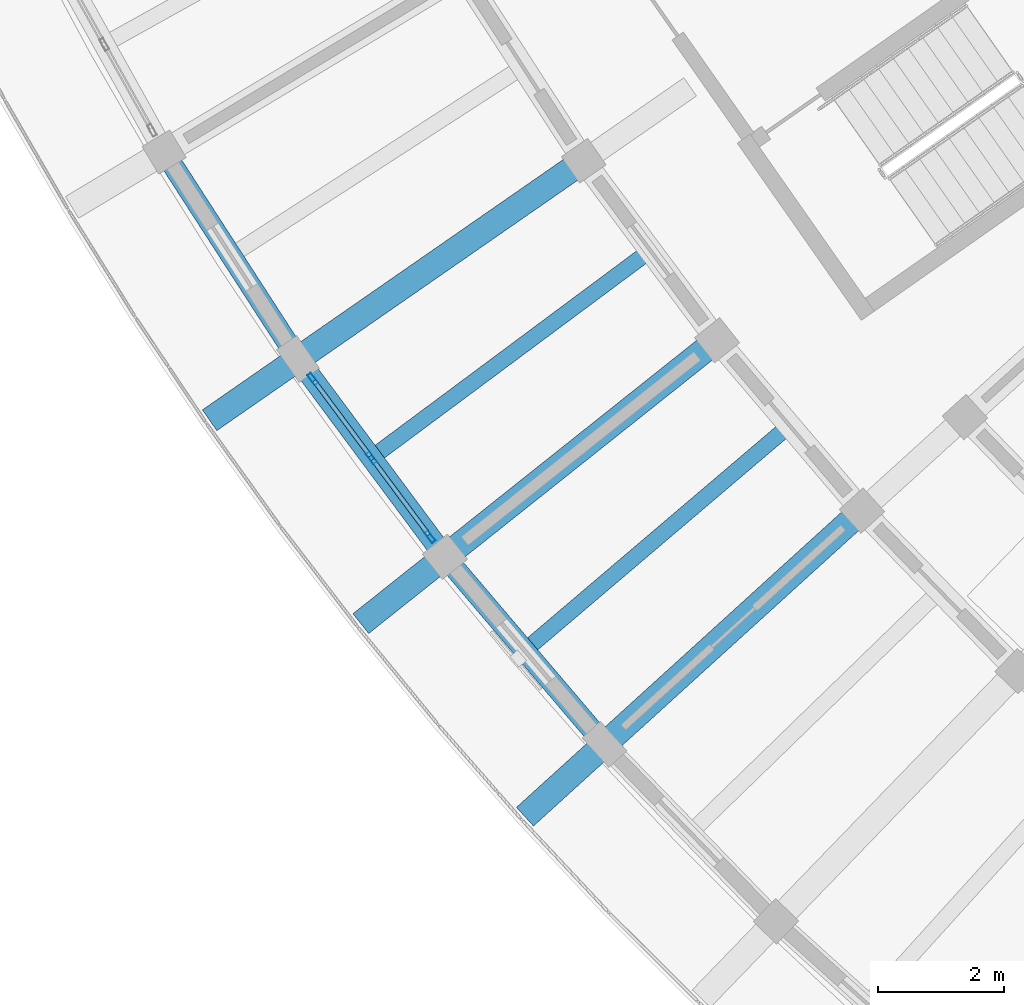
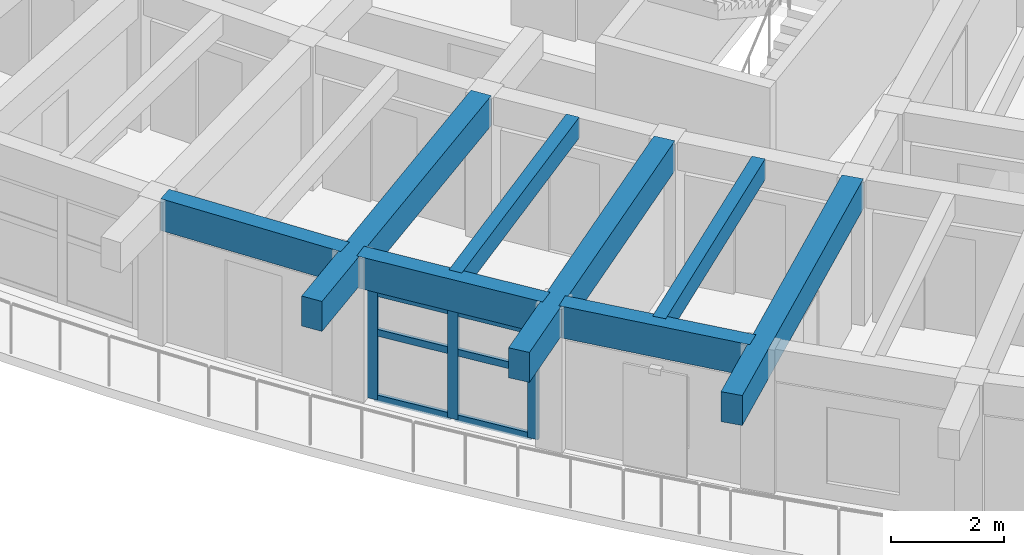
# One storey, part 6 of 62: 9 members, 8 beams, 1 element without a shape of its own.
"""IFC4 building model written with IfcOpenShell, lengths in metres."""

from ifc_helpers import new_model, si_unit, direction, frame, origin, origin_2d, place, context, subcontext, project, spatial, rectangle, hollow_rectangle, extrude, material, material_profile, profile_set, type_object, element, aggregate, save


model = new_model("IFC4")

# Units and contexts
model_context = context("Model", 3, precision=1e-05, world=origin(), true_north=direction((0.0, 1.0)))
body_context = subcontext(model_context, "Body", "Model", "MODEL_VIEW")
ifc_project = project(units=[si_unit("LENGTHUNIT", "METRE"), si_unit("AREAUNIT", "SQUARE_METRE"), si_unit("VOLUMEUNIT", "CUBIC_METRE"), si_unit("PLANEANGLEUNIT", "RADIAN"), si_unit("MASSUNIT", "GRAM", prefix="KILO")], contexts=[model_context])

# Site, building, storey
site_placement = place(None, origin())
site = spatial("IfcSite", under=ifc_project, at=site_placement, CompositionType="ELEMENT")
building_placement = place(site_placement, origin())
building = spatial("IfcBuilding", under=site, at=building_placement, Name="Tanwirah Colonnade Gardens", CompositionType="ELEMENT")
storey_placement = place(building_placement, frame((0.0, 0.0, 32.360107421875)))
storey = spatial("IfcBuildingStorey", under=building, at=storey_placement, Name="L09", CompositionType="ELEMENT", Elevation=32.360107421875)

# Beams
ifc_material_1 = material(Name="Precast concrete C45/55", Category="concrete")
ifc_material_profile_1 = material_profile(ifc_material_1, rectangle(XDim=0.39990234375, YDim=0.64990234375, at=origin_2d()), Name="PC-BM 400x650")
ifc_profile_set_1 = profile_set([ifc_material_profile_1], Name="Precast concrete C45/55")
beam_type_1 = type_object("IfcBeamType", Name="BM-PC400", PredefinedType="BEAM", material=ifc_profile_set_1)
beam_1_placement = place(storey_placement, frame((20.466796875, 33.606201171875, 2.789794921875), z_axis=(-0.821647028495, -0.569996632066, 0.0), x_axis=(0.569996632066, -0.821647028495, 0.0)))
element("IfcBeam", 1, at=beam_1_placement, inside=storey, type_object=beam_type_1, Name="Block C L09 Outer Radial Precast Girder 5", PredefinedType="BEAM", context=body_context, shape_type="SweptSolid", body=[
    extrude(rectangle(XDim=0.39990234375, YDim=0.64990234375, at=origin_2d()), origin(), (0.0, 0.0, 1.0), 7.050048828125),
])
for number, where, z_axis, x_axis, name in (
    (2, (22.58251953125, 30.759765625, 2.789794921875), (-0.782609106384, -0.622513442911, 0.0), (0.622513442911, -0.782609106384, 0.0), "Block C L09 Outer Radial Precast Girder 6"),
    (3, (24.880126953125, 28.0576171875, 2.789794921875), (-0.740229899169, -0.672353847596, 0.0), (0.672353847596, -0.740229899169, 0.0), "Block C L09 Outer Radial Precast Girder 7"),
):
    element("IfcBeam", number, at=place(storey_placement, frame(where, z_axis=z_axis, x_axis=x_axis)), inside=storey, type_object=beam_type_1, Name=name, PredefinedType="BEAM", context=body_context, shape_type="SweptSolid", body=[
        extrude(rectangle(XDim=0.39990234375, YDim=0.64990234375, at=origin_2d()), origin(), (0.0, 0.0, 1.0), 7.0498046875),
    ])

# Curtain wall, members
ifc_material_2 = material(Name="Bronze-anodised aluminium and solar-control low-E glass", Category="aluminium")
curtain_wall_type = type_object("IfcCurtainWallType", Name="CW-LOB", PredefinedType="NOTDEFINED", material=ifc_material_2)
curtain_wall_placement = place(storey_placement, origin())
curtain_wall = element("IfcCurtainWall", 4, at=curtain_wall_placement, inside=storey, type_object=curtain_wall_type, Name="Curtain Wall CW-C-L09-OUT-05", PredefinedType="NOTDEFINED")
ifc_material_3 = material(Name="Bronze-anodised aluminium", Category="aluminium")
ifc_material_profile_2 = material_profile(ifc_material_3, hollow_rectangle(XDim=0.070068359375, YDim=0.199951171875, WallThickness=0.00390625, at=origin_2d()), Name="CW-MUL 70x200x4")
ifc_profile_set_2 = profile_set([ifc_material_profile_2], Name="Bronze-anodised aluminium")
member_type_1 = type_object("IfcMemberType", Name="CWM-70x200", PredefinedType="MULLION", material=ifc_profile_set_2)
member_1_placement = place(storey_placement, frame((16.306640625, 30.23974609375, 0.0), z_axis=(0.0, 0.0, 1.0), x_axis=(0.802556746833, 0.596575785725, 0.0)))
member_1 = element("IfcMember", 5, at=member_1_placement, type_object=member_type_1, Name="CW-LOB mullion 1", PredefinedType="MULLION", context=body_context, shape_type="SweptSolid", body=[
    extrude(hollow_rectangle(XDim=0.070068359375, YDim=0.199951171875, WallThickness=0.00390625, at=origin_2d()), origin(), (0.0, 0.0, 1.0), 2.35498046875),
])
member_2_placement = place(storey_placement, frame((17.2333984375, 28.992919921875, 0.0), z_axis=(0.0, 0.0, 1.0), x_axis=(0.802556746833, 0.596575785725, 0.0)))
member_2 = element("IfcMember", 6, at=member_2_placement, type_object=member_type_1, Name="CW-LOB mullion 2", PredefinedType="MULLION", context=body_context, shape_type="SweptSolid", body=[
    extrude(hollow_rectangle(XDim=0.070068359375, YDim=0.199951171875, WallThickness=0.00390625, at=origin_2d()), origin(), (0.0, 0.0, 1.0), 2.35498046875),
])
member_3_placement = place(storey_placement, frame((18.16015625, 27.746337890625, 0.0), z_axis=(0.0, 0.0, 1.0), x_axis=(0.802556746833, 0.596575785725, 0.0)))
member_3 = element("IfcMember", 7, at=member_3_placement, type_object=member_type_1, Name="CW-LOB mullion 3", PredefinedType="MULLION", context=body_context, shape_type="SweptSolid", body=[
    extrude(hollow_rectangle(XDim=0.070068359375, YDim=0.199951171875, WallThickness=0.00390625, at=origin_2d()), origin(), (0.0, 0.0, 1.0), 2.35498046875),
])
ifc_material_profile_3 = material_profile(ifc_material_3, hollow_rectangle(XDim=0.070068359375, YDim=0.14990234375, WallThickness=0.00390625, at=origin_2d()), Name="CW-TRN 70x150x4")
ifc_profile_set_3 = profile_set([ifc_material_profile_3], Name="Bronze-anodised aluminium")
member_type_2 = type_object("IfcMemberType", Name="CWT-70x150", PredefinedType="USERDEFINED", material=ifc_profile_set_3)
member_4_placement = place(storey_placement, frame((16.327392578125, 30.211669921875, 0.034912109375), z_axis=(0.59654515781, -0.802579513004, 0.0), x_axis=(0.802579513004, 0.59654515781, 0.0)))
member_4 = element("IfcMember", 8, at=member_4_placement, type_object=member_type_2, Name="CW-LOB transom 1.1", ObjectType="TRANSOM", PredefinedType="USERDEFINED", context=body_context, shape_type="SweptSolid", body=[
    extrude(hollow_rectangle(XDim=0.070068359375, YDim=0.14990234375, WallThickness=0.00390625, at=origin_2d()), origin(), (0.0, 0.0, 1.0), 1.483642578125),
])
member_5_placement = place(storey_placement, frame((16.327392578125, 30.211669921875, 1.4599609375), z_axis=(0.59654515781, -0.802579513004, 0.0), x_axis=(0.802579513004, 0.59654515781, 0.0)))
member_5 = element("IfcMember", 9, at=member_5_placement, type_object=member_type_2, Name="CW-LOB transom 1.2", ObjectType="TRANSOM", PredefinedType="USERDEFINED", context=body_context, shape_type="SweptSolid", body=[
    extrude(hollow_rectangle(XDim=0.070068359375, YDim=0.14990234375, WallThickness=0.00390625, at=origin_2d()), origin(), (0.0, 0.0, 1.0), 1.483642578125),
])
member_6_placement = place(storey_placement, frame((16.327392578125, 30.211669921875, 2.31982421875), z_axis=(0.59654515781, -0.802579513004, 0.0), x_axis=(0.802579513004, 0.59654515781, 0.0)))
member_6 = element("IfcMember", 10, at=member_6_placement, type_object=member_type_2, Name="CW-LOB transom 1.3", ObjectType="TRANSOM", PredefinedType="USERDEFINED", context=body_context, shape_type="SweptSolid", body=[
    extrude(hollow_rectangle(XDim=0.070068359375, YDim=0.14990234375, WallThickness=0.00390625, at=origin_2d()), origin(), (0.0, 0.0, 1.0), 1.483642578125),
])
member_7_placement = place(storey_placement, frame((17.254150390625, 28.96484375, 0.034912109375), z_axis=(0.596623954545, -0.802520938582, 0.0), x_axis=(0.802520938582, 0.596623954545, 0.0)))
member_7 = element("IfcMember", 11, at=member_7_placement, type_object=member_type_2, Name="CW-LOB transom 2.1", ObjectType="TRANSOM", PredefinedType="USERDEFINED", context=body_context, shape_type="SweptSolid", body=[
    extrude(hollow_rectangle(XDim=0.070068359375, YDim=0.14990234375, WallThickness=0.00390625, at=origin_2d()), origin(), (0.0, 0.0, 1.0), 1.4833984375),
])
member_8_placement = place(storey_placement, frame((17.254150390625, 28.96484375, 1.4599609375), z_axis=(0.596623954545, -0.802520938582, 0.0), x_axis=(0.802520938582, 0.596623954545, 0.0)))
member_8 = element("IfcMember", 12, at=member_8_placement, type_object=member_type_2, Name="CW-LOB transom 2.2", ObjectType="TRANSOM", PredefinedType="USERDEFINED", context=body_context, shape_type="SweptSolid", body=[
    extrude(hollow_rectangle(XDim=0.070068359375, YDim=0.14990234375, WallThickness=0.00390625, at=origin_2d()), origin(), (0.0, 0.0, 1.0), 1.4833984375),
])
member_9_placement = place(storey_placement, frame((17.254150390625, 28.96484375, 2.31982421875), z_axis=(0.596623954545, -0.802520938582, 0.0), x_axis=(0.802520938582, 0.596623954545, 0.0)))
member_9 = element("IfcMember", 13, at=member_9_placement, type_object=member_type_2, Name="CW-LOB transom 2.3", ObjectType="TRANSOM", PredefinedType="USERDEFINED", context=body_context, shape_type="SweptSolid", body=[
    extrude(hollow_rectangle(XDim=0.070068359375, YDim=0.14990234375, WallThickness=0.00390625, at=origin_2d()), origin(), (0.0, 0.0, 1.0), 1.4833984375),
])
aggregate(curtain_wall, [member_1, member_2, member_3, member_4, member_5, member_6, member_7, member_8, member_9])

# Beams
ifc_material_4 = material(Name="Precast concrete C40/50", Category="concrete")
ifc_material_profile_4 = material_profile(ifc_material_4, rectangle(XDim=0.25, YDim=0.449951171875, at=origin_2d()), Name="PC-JST 250x450")
ifc_profile_set_4 = profile_set([ifc_material_profile_4], Name="Precast concrete C40/50")
beam_type_2 = type_object("IfcBeamType", Name="JST-PC250", PredefinedType="JOIST", material=ifc_profile_set_4)
for number, where, z_axis, x_axis, name in (
    (14, (21.525390625, 32.18359375, 2.889892578125), (-0.802560347737, -0.596570941499, 0.0), (0.596570941499, -0.802560347737, 0.0), "Block C L09 Precast Floor Joist 5"),
    (15, (23.732177734375, 29.409423828125, 2.889892578125), (-0.761803021124, -0.647808734895, 0.0), (0.647808734895, -0.761803021124, 0.0), "Block C L09 Precast Floor Joist 6"),
):
    element("IfcBeam", number, at=place(storey_placement, frame(where, z_axis=z_axis, x_axis=x_axis)), inside=storey, type_object=beam_type_2, Name=name, PredefinedType="JOIST", context=body_context, shape_type="SweptSolid", body=[
        extrude(rectangle(XDim=0.25, YDim=0.449951171875, at=origin_2d()), origin(), (0.0, 0.0, 1.0), 5.260009765625),
    ])
ifc_material_profile_5 = material_profile(ifc_material_4, rectangle(XDim=0.330078125, YDim=0.68994140625, at=origin_2d()), Name="PC-SP 330x690")
ifc_profile_set_5 = profile_set([ifc_material_profile_5], Name="Precast concrete C40/50")
beam_type_3 = type_object("IfcBeamType", Name="SP-PC280", PredefinedType="SPANDREL", material=ifc_profile_set_5)
for number, where, z_axis, x_axis, name in (
    (16, (14.037109375, 33.70361328125, 2.769775390625), (0.542786838894, -0.839870494495, 0.0), (0.839870494495, 0.542786838894, 0.0), "Block C L09 Circumferential Beam 4-R3"),
    (17, (16.160400390625, 30.436279296875, 2.769775390625), (0.596562665898, -0.802566499212, 0.0), (0.802566499212, 0.596562665898, 0.0), "Block C L09 Circumferential Beam 5-R3"),
):
    element("IfcBeam", number, at=place(storey_placement, frame(where, z_axis=z_axis, x_axis=x_axis)), inside=storey, type_object=beam_type_3, Name=name, PredefinedType="SPANDREL", context=body_context, shape_type="SweptSolid", body=[
        extrude(rectangle(XDim=0.330078125, YDim=0.68994140625, at=origin_2d()), origin(), (0.0, 0.0, 1.0), 3.596923828125),
    ])
beam_2_placement = place(storey_placement, frame((18.492919921875, 27.31494140625, 2.769775390625), z_axis=(0.647784367984, -0.76182374116, 0.0), x_axis=(0.76182374116, 0.647784367984, 0.0)))
element("IfcBeam", 18, at=beam_2_placement, inside=storey, type_object=beam_type_3, Name="Block C L09 Circumferential Beam 6-R3", PredefinedType="SPANDREL", context=body_context, shape_type="SweptSolid", body=[
    extrude(rectangle(XDim=0.330078125, YDim=0.68994140625, at=origin_2d()), origin(), (0.0, 0.0, 1.0), 3.5966796875),
])

save(model, "model.ifc")
